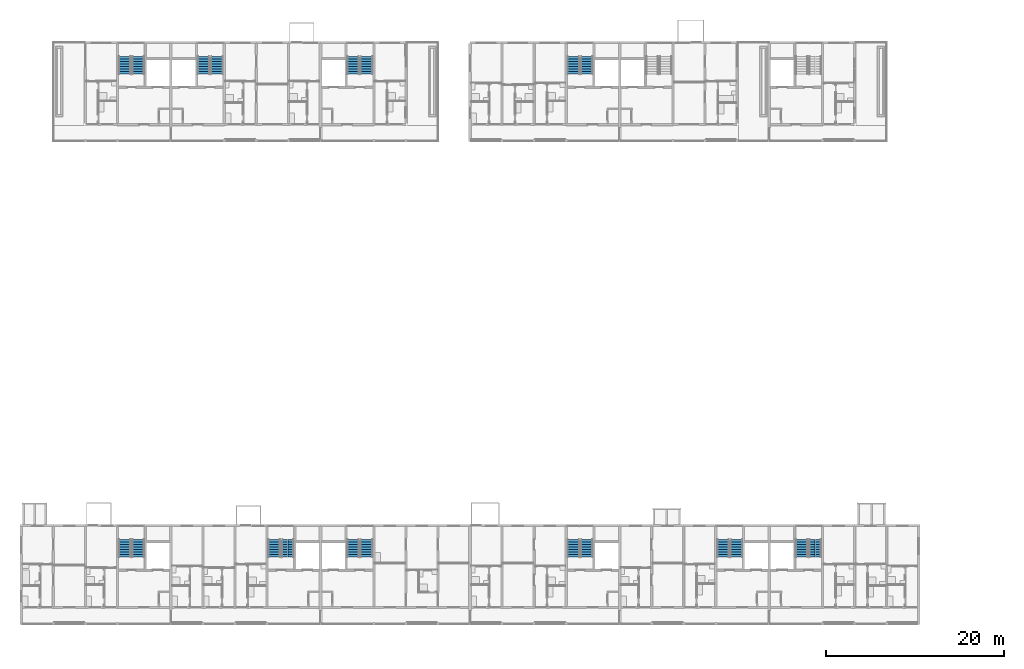
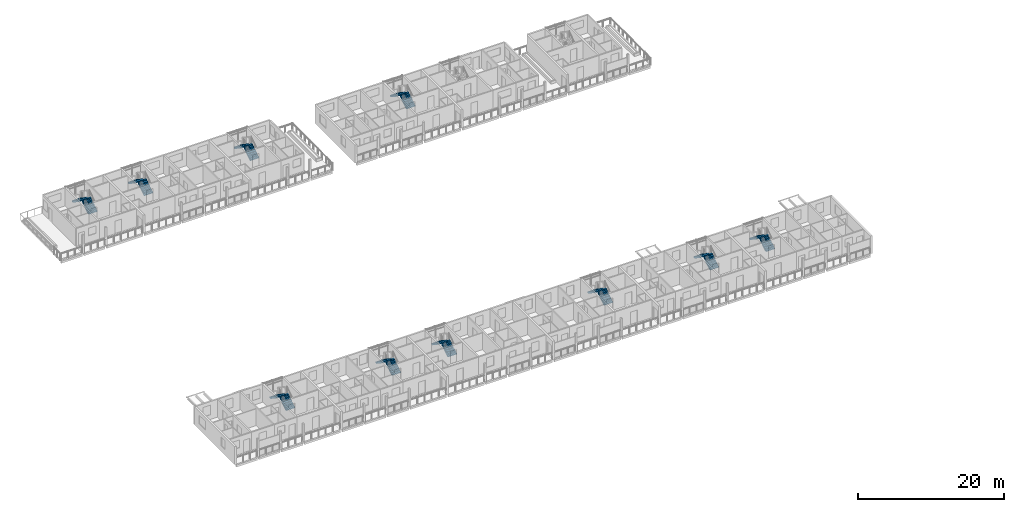
# One storey, part 60 of 94: 20 stair flights, 10 elements without a shape of their own.
"""IFC4 building model written with IfcOpenShell, lengths in metres."""

from ifc_helpers import new_model, si_unit, direction, frame, origin, place, context, subcontext, project, spatial, polyline, outline, extrude, material, type_object, element, aggregate, save


model = new_model("IFC4")

# Units and contexts
model_context = context("Model", 3, precision=1e-05, world=origin(), true_north=direction((0.0, 1.0)))
body_context = subcontext(model_context, "Body", "Model", "MODEL_VIEW")
ifc_project = project(units=[si_unit("LENGTHUNIT", "METRE"), si_unit("AREAUNIT", "SQUARE_METRE"), si_unit("VOLUMEUNIT", "CUBIC_METRE"), si_unit("PLANEANGLEUNIT", "RADIAN"), si_unit("MASSUNIT", "GRAM", prefix="KILO")], contexts=[model_context])

# Site, building, storey
site_placement = place(None, origin())
site = spatial("IfcSite", under=ifc_project, at=site_placement, CompositionType="ELEMENT")
building_placement = place(site_placement, origin())
building = spatial("IfcBuilding", under=site, at=building_placement, Name="Ridgestep Commons", CompositionType="ELEMENT")
storey_placement = place(building_placement, frame((0.0, 0.0, 21.0)))
storey = spatial("IfcBuildingStorey", under=building, at=storey_placement, Name="L07", CompositionType="ELEMENT", Elevation=21.0)

# Stair, stair flights
ifc_material_1 = material(Name="Precast concrete C40/50", Category="concrete")
stair_type = type_object("IfcStairType", Name="Escape stair 1400", PredefinedType="HALF_TURN_STAIR", material=ifc_material_1)
stair_1_placement = place(storey_placement, origin())
stair_1 = element("IfcStair", 1, at=stair_1_placement, inside=storey, type_object=stair_type, Name="L07 Escape stair A1C", PredefinedType="HALF_TURN_STAIR")
ifc_material_2 = material(Name="Precast concrete C40/50", Category="concrete")
stair_flight_type = type_object("IfcStairFlightType", Name="Stair flight 1400", PredefinedType="STRAIGHT", material=ifc_material_2)
stair_flight_1_placement = place(storey_placement, frame((25.125, 19.35009765625, 0.0), z_axis=(0.0, 0.0, 1.0), x_axis=(0.0, 1.0, 0.0)))
stair_flight_1 = element("IfcStairFlight", 2, at=stair_flight_1_placement, type_object=stair_flight_type, Name="A1C flight 1", NumberOfRisers=8, NumberOfTreads=7, PredefinedType="STRAIGHT", RiserHeight=0.1875, TreadLength=0.28, context=body_context, shape_type="SweptSolid", body=[
    extrude(outline(polyline([(0.0, 0.0), (0.0, 0.1875), (0.280029296875, 0.1875), (0.280029296875, 0.375), (0.56005859375, 0.375), (0.56005859375, 0.5625), (0.840087890625, 0.5625), (0.840087890625, 0.75), (1.1201171875, 0.75), (1.1201171875, 0.9375), (1.39990234375, 0.9375), (1.39990234375, 1.125), (1.679931640625, 1.125), (1.679931640625, 1.3125), (1.9599609375, 1.3125), (1.9599609375, 1.5), (1.9599609375, 1.132080078125), (0.26953125, 0.0), (0.0, 0.0)])), frame((0.0, 0.699951171875, 0.0), z_axis=(0.0, -1.0, 0.0), x_axis=(1.0, 0.0, 0.0)), (0.0, 0.0, 1.0), 0.695068359375),
    extrude(outline(polyline([(0.0, 0.0), (0.0, 0.1875), (0.280029296875, 0.1875), (0.280029296875, 0.375), (0.56005859375, 0.375), (0.56005859375, 0.5625), (0.840087890625, 0.5625), (0.840087890625, 0.75), (1.1201171875, 0.75), (1.1201171875, 0.9375), (1.39990234375, 0.9375), (1.39990234375, 1.125), (1.679931640625, 1.125), (1.679931640625, 1.3125), (1.9599609375, 1.3125), (1.9599609375, 1.5), (1.9599609375, 1.132080078125), (0.26953125, 0.0), (0.0, 0.0)])), frame((0.0, -0.0048828125, 0.0), z_axis=(0.0, -1.0, 0.0), x_axis=(1.0, 0.0, 0.0)), (0.0, 0.0, 1.0), 0.695068359375),
])
stair_flight_2_placement = place(storey_placement, frame((23.625, 21.31005859375, 1.5), z_axis=(0.0, 0.0, 1.0), x_axis=(0.0, -1.0, 0.0)))
stair_flight_2 = element("IfcStairFlight", 3, at=stair_flight_2_placement, type_object=stair_flight_type, Name="A1C flight 2", NumberOfRisers=8, NumberOfTreads=7, PredefinedType="STRAIGHT", RiserHeight=0.1875, TreadLength=0.28, context=body_context, shape_type="SweptSolid", body=[
    extrude(outline(polyline([(0.0, 0.0), (0.0, 0.1875), (0.280029296875, 0.1875), (0.280029296875, 0.375), (0.56005859375, 0.375), (0.56005859375, 0.5625), (0.840087890625, 0.5625), (0.840087890625, 0.75), (1.1201171875, 0.75), (1.1201171875, 0.9375), (1.39990234375, 0.9375), (1.39990234375, 1.125), (1.679931640625, 1.125), (1.679931640625, 1.3125), (1.9599609375, 1.3125), (1.9599609375, 1.5), (1.9599609375, 1.132080078125), (0.26953125, 0.0), (0.0, 0.0)])), frame((0.0, 0.699951171875, 0.0), z_axis=(0.0, -1.0, 0.0), x_axis=(1.0, 0.0, 0.0)), (0.0, 0.0, 1.0), 0.695068359375),
    extrude(outline(polyline([(0.0, 0.0), (0.0, 0.1875), (0.280029296875, 0.1875), (0.280029296875, 0.375), (0.56005859375, 0.375), (0.56005859375, 0.5625), (0.840087890625, 0.5625), (0.840087890625, 0.75), (1.1201171875, 0.75), (1.1201171875, 0.9375), (1.39990234375, 0.9375), (1.39990234375, 1.125), (1.679931640625, 1.125), (1.679931640625, 1.3125), (1.9599609375, 1.3125), (1.9599609375, 1.5), (1.9599609375, 1.132080078125), (0.26953125, 0.0), (0.0, 0.0)])), frame((0.0, -0.0048828125, 0.0), z_axis=(0.0, -1.0, 0.0), x_axis=(1.0, 0.0, 0.0)), (0.0, 0.0, 1.0), 0.695068359375),
])
aggregate(stair_1, [stair_flight_1, stair_flight_2])

stair_2_placement = place(storey_placement, origin())
stair_2 = element("IfcStair", 4, at=stair_2_placement, inside=storey, type_object=stair_type, Name="L07 Escape stair A2C", PredefinedType="HALF_TURN_STAIR")
stair_flight_3_placement = place(storey_placement, frame((41.925048828125, 19.35009765625, 0.0), z_axis=(0.0, 0.0, 1.0), x_axis=(0.0, 1.0, 0.0)))
stair_flight_3 = element("IfcStairFlight", 5, at=stair_flight_3_placement, type_object=stair_flight_type, Name="A2C flight 1", NumberOfRisers=8, NumberOfTreads=7, PredefinedType="STRAIGHT", RiserHeight=0.1875, TreadLength=0.28, context=body_context, shape_type="SweptSolid", body=[
    extrude(outline(polyline([(0.0, 0.0), (0.0, 0.1875), (0.280029296875, 0.1875), (0.280029296875, 0.375), (0.56005859375, 0.375), (0.56005859375, 0.5625), (0.840087890625, 0.5625), (0.840087890625, 0.75), (1.1201171875, 0.75), (1.1201171875, 0.9375), (1.39990234375, 0.9375), (1.39990234375, 1.125), (1.679931640625, 1.125), (1.679931640625, 1.3125), (1.9599609375, 1.3125), (1.9599609375, 1.5), (1.9599609375, 1.132080078125), (0.26953125, 0.0), (0.0, 0.0)])), frame((0.0, 0.699951171875, 0.0), z_axis=(0.0, -1.0, 0.0), x_axis=(1.0, 0.0, 0.0)), (0.0, 0.0, 1.0), 0.695068359375),
    extrude(outline(polyline([(0.0, 0.0), (0.0, 0.1875), (0.280029296875, 0.1875), (0.280029296875, 0.375), (0.56005859375, 0.375), (0.56005859375, 0.5625), (0.840087890625, 0.5625), (0.840087890625, 0.75), (1.1201171875, 0.75), (1.1201171875, 0.9375), (1.39990234375, 0.9375), (1.39990234375, 1.125), (1.679931640625, 1.125), (1.679931640625, 1.3125), (1.9599609375, 1.3125), (1.9599609375, 1.5), (1.9599609375, 1.132080078125), (0.26953125, 0.0), (0.0, 0.0)])), frame((0.0, -0.0048828125, 0.0), z_axis=(0.0, -1.0, 0.0), x_axis=(1.0, 0.0, 0.0)), (0.0, 0.0, 1.0), 0.695068359375),
])
stair_flight_4_placement = place(storey_placement, frame((40.425048828125, 21.31005859375, 1.5), z_axis=(0.0, 0.0, 1.0), x_axis=(0.0, -1.0, 0.0)))
stair_flight_4 = element("IfcStairFlight", 6, at=stair_flight_4_placement, type_object=stair_flight_type, Name="A2C flight 2", NumberOfRisers=8, NumberOfTreads=7, PredefinedType="STRAIGHT", RiserHeight=0.1875, TreadLength=0.28, context=body_context, shape_type="SweptSolid", body=[
    extrude(outline(polyline([(0.0, 0.0), (0.0, 0.1875), (0.280029296875, 0.1875), (0.280029296875, 0.375), (0.56005859375, 0.375), (0.56005859375, 0.5625), (0.840087890625, 0.5625), (0.840087890625, 0.75), (1.1201171875, 0.75), (1.1201171875, 0.9375), (1.39990234375, 0.9375), (1.39990234375, 1.125), (1.679931640625, 1.125), (1.679931640625, 1.3125), (1.9599609375, 1.3125), (1.9599609375, 1.5), (1.9599609375, 1.132080078125), (0.26953125, 0.0), (0.0, 0.0)])), frame((0.0, 0.699951171875, 0.0), z_axis=(0.0, -1.0, 0.0), x_axis=(1.0, 0.0, 0.0)), (0.0, 0.0, 1.0), 0.695068359375),
    extrude(outline(polyline([(0.0, 0.0), (0.0, 0.1875), (0.280029296875, 0.1875), (0.280029296875, 0.375), (0.56005859375, 0.375), (0.56005859375, 0.5625), (0.840087890625, 0.5625), (0.840087890625, 0.75), (1.1201171875, 0.75), (1.1201171875, 0.9375), (1.39990234375, 0.9375), (1.39990234375, 1.125), (1.679931640625, 1.125), (1.679931640625, 1.3125), (1.9599609375, 1.3125), (1.9599609375, 1.5), (1.9599609375, 1.132080078125), (0.26953125, 0.0), (0.0, 0.0)])), frame((0.0, -0.0048828125, 0.0), z_axis=(0.0, -1.0, 0.0), x_axis=(1.0, 0.0, 0.0)), (0.0, 0.0, 1.0), 0.695068359375),
])
aggregate(stair_2, [stair_flight_3, stair_flight_4])

stair_3_placement = place(storey_placement, origin())
stair_3 = element("IfcStair", 7, at=stair_3_placement, inside=storey, type_object=stair_type, Name="L07 Escape stair A3C", PredefinedType="HALF_TURN_STAIR")
stair_flight_5_placement = place(storey_placement, frame((50.77490234375, 19.35009765625, 0.0), z_axis=(0.0, 0.0, 1.0), x_axis=(0.0, 1.0, 0.0)))
stair_flight_5 = element("IfcStairFlight", 8, at=stair_flight_5_placement, type_object=stair_flight_type, Name="A3C flight 1", NumberOfRisers=8, NumberOfTreads=7, PredefinedType="STRAIGHT", RiserHeight=0.1875, TreadLength=0.28, context=body_context, shape_type="SweptSolid", body=[
    extrude(outline(polyline([(0.0, 0.0), (0.0, 0.1875), (0.280029296875, 0.1875), (0.280029296875, 0.375), (0.56005859375, 0.375), (0.56005859375, 0.5625), (0.840087890625, 0.5625), (0.840087890625, 0.75), (1.1201171875, 0.75), (1.1201171875, 0.9375), (1.39990234375, 0.9375), (1.39990234375, 1.125), (1.679931640625, 1.125), (1.679931640625, 1.3125), (1.9599609375, 1.3125), (1.9599609375, 1.5), (1.9599609375, 1.132080078125), (0.26953125, 0.0), (0.0, 0.0)])), frame((0.0, 0.699951171875, 0.0), z_axis=(0.0, -1.0, 0.0), x_axis=(1.0, 0.0, 0.0)), (0.0, 0.0, 1.0), 0.695068359375),
    extrude(outline(polyline([(0.0, 0.0), (0.0, 0.1875), (0.280029296875, 0.1875), (0.280029296875, 0.375), (0.56005859375, 0.375), (0.56005859375, 0.5625), (0.840087890625, 0.5625), (0.840087890625, 0.75), (1.1201171875, 0.75), (1.1201171875, 0.9375), (1.39990234375, 0.9375), (1.39990234375, 1.125), (1.679931640625, 1.125), (1.679931640625, 1.3125), (1.9599609375, 1.3125), (1.9599609375, 1.5), (1.9599609375, 1.132080078125), (0.26953125, 0.0), (0.0, 0.0)])), frame((0.0, -0.0048828125, 0.0), z_axis=(0.0, -1.0, 0.0), x_axis=(1.0, 0.0, 0.0)), (0.0, 0.0, 1.0), 0.695068359375),
])
stair_flight_6_placement = place(storey_placement, frame((49.27490234375, 21.31005859375, 1.5), z_axis=(0.0, 0.0, 1.0), x_axis=(0.0, -1.0, 0.0)))
stair_flight_6 = element("IfcStairFlight", 9, at=stair_flight_6_placement, type_object=stair_flight_type, Name="A3C flight 2", NumberOfRisers=8, NumberOfTreads=7, PredefinedType="STRAIGHT", RiserHeight=0.1875, TreadLength=0.28, context=body_context, shape_type="SweptSolid", body=[
    extrude(outline(polyline([(0.0, 0.0), (0.0, 0.1875), (0.280029296875, 0.1875), (0.280029296875, 0.375), (0.56005859375, 0.375), (0.56005859375, 0.5625), (0.840087890625, 0.5625), (0.840087890625, 0.75), (1.1201171875, 0.75), (1.1201171875, 0.9375), (1.39990234375, 0.9375), (1.39990234375, 1.125), (1.679931640625, 1.125), (1.679931640625, 1.3125), (1.9599609375, 1.3125), (1.9599609375, 1.5), (1.9599609375, 1.132080078125), (0.26953125, 0.0), (0.0, 0.0)])), frame((0.0, 0.699951171875, 0.0), z_axis=(0.0, -1.0, 0.0), x_axis=(1.0, 0.0, 0.0)), (0.0, 0.0, 1.0), 0.695068359375),
    extrude(outline(polyline([(0.0, 0.0), (0.0, 0.1875), (0.280029296875, 0.1875), (0.280029296875, 0.375), (0.56005859375, 0.375), (0.56005859375, 0.5625), (0.840087890625, 0.5625), (0.840087890625, 0.75), (1.1201171875, 0.75), (1.1201171875, 0.9375), (1.39990234375, 0.9375), (1.39990234375, 1.125), (1.679931640625, 1.125), (1.679931640625, 1.3125), (1.9599609375, 1.3125), (1.9599609375, 1.5), (1.9599609375, 1.132080078125), (0.26953125, 0.0), (0.0, 0.0)])), frame((0.0, -0.0048828125, 0.0), z_axis=(0.0, -1.0, 0.0), x_axis=(1.0, 0.0, 0.0)), (0.0, 0.0, 1.0), 0.695068359375),
])
aggregate(stair_3, [stair_flight_5, stair_flight_6])

stair_4_placement = place(storey_placement, origin())
stair_4 = element("IfcStair", 10, at=stair_4_placement, inside=storey, type_object=stair_type, Name="L07 Escape stair A4C", PredefinedType="HALF_TURN_STAIR")
stair_flight_7_placement = place(storey_placement, frame((75.52490234375, 19.35009765625, 0.0), z_axis=(0.0, 0.0, 1.0), x_axis=(0.0, 1.0, 0.0)))
stair_flight_7 = element("IfcStairFlight", 11, at=stair_flight_7_placement, type_object=stair_flight_type, Name="A4C flight 1", NumberOfRisers=8, NumberOfTreads=7, PredefinedType="STRAIGHT", RiserHeight=0.1875, TreadLength=0.28, context=body_context, shape_type="SweptSolid", body=[
    extrude(outline(polyline([(0.0, 0.0), (0.0, 0.1875), (0.280029296875, 0.1875), (0.280029296875, 0.375), (0.56005859375, 0.375), (0.56005859375, 0.5625), (0.840087890625, 0.5625), (0.840087890625, 0.75), (1.1201171875, 0.75), (1.1201171875, 0.9375), (1.39990234375, 0.9375), (1.39990234375, 1.125), (1.679931640625, 1.125), (1.679931640625, 1.3125), (1.9599609375, 1.3125), (1.9599609375, 1.5), (1.9599609375, 1.132080078125), (0.26953125, 0.0), (0.0, 0.0)])), frame((0.0, 0.699951171875, 0.0), z_axis=(0.0, -1.0, 0.0), x_axis=(1.0, 0.0, 0.0)), (0.0, 0.0, 1.0), 0.695068359375),
    extrude(outline(polyline([(0.0, 0.0), (0.0, 0.1875), (0.280029296875, 0.1875), (0.280029296875, 0.375), (0.56005859375, 0.375), (0.56005859375, 0.5625), (0.840087890625, 0.5625), (0.840087890625, 0.75), (1.1201171875, 0.75), (1.1201171875, 0.9375), (1.39990234375, 0.9375), (1.39990234375, 1.125), (1.679931640625, 1.125), (1.679931640625, 1.3125), (1.9599609375, 1.3125), (1.9599609375, 1.5), (1.9599609375, 1.132080078125), (0.26953125, 0.0), (0.0, 0.0)])), frame((0.0, -0.0048828125, 0.0), z_axis=(0.0, -1.0, 0.0), x_axis=(1.0, 0.0, 0.0)), (0.0, 0.0, 1.0), 0.695068359375),
])
stair_flight_8_placement = place(storey_placement, frame((74.02490234375, 21.31005859375, 1.5), z_axis=(0.0, 0.0, 1.0), x_axis=(0.0, -1.0, 0.0)))
stair_flight_8 = element("IfcStairFlight", 12, at=stair_flight_8_placement, type_object=stair_flight_type, Name="A4C flight 2", NumberOfRisers=8, NumberOfTreads=7, PredefinedType="STRAIGHT", RiserHeight=0.1875, TreadLength=0.28, context=body_context, shape_type="SweptSolid", body=[
    extrude(outline(polyline([(0.0, 0.0), (0.0, 0.1875), (0.280029296875, 0.1875), (0.280029296875, 0.375), (0.56005859375, 0.375), (0.56005859375, 0.5625), (0.840087890625, 0.5625), (0.840087890625, 0.75), (1.1201171875, 0.75), (1.1201171875, 0.9375), (1.39990234375, 0.9375), (1.39990234375, 1.125), (1.679931640625, 1.125), (1.679931640625, 1.3125), (1.9599609375, 1.3125), (1.9599609375, 1.5), (1.9599609375, 1.132080078125), (0.26953125, 0.0), (0.0, 0.0)])), frame((0.0, 0.699951171875, 0.0), z_axis=(0.0, -1.0, 0.0), x_axis=(1.0, 0.0, 0.0)), (0.0, 0.0, 1.0), 0.695068359375),
    extrude(outline(polyline([(0.0, 0.0), (0.0, 0.1875), (0.280029296875, 0.1875), (0.280029296875, 0.375), (0.56005859375, 0.375), (0.56005859375, 0.5625), (0.840087890625, 0.5625), (0.840087890625, 0.75), (1.1201171875, 0.75), (1.1201171875, 0.9375), (1.39990234375, 0.9375), (1.39990234375, 1.125), (1.679931640625, 1.125), (1.679931640625, 1.3125), (1.9599609375, 1.3125), (1.9599609375, 1.5), (1.9599609375, 1.132080078125), (0.26953125, 0.0), (0.0, 0.0)])), frame((0.0, -0.0048828125, 0.0), z_axis=(0.0, -1.0, 0.0), x_axis=(1.0, 0.0, 0.0)), (0.0, 0.0, 1.0), 0.695068359375),
])
aggregate(stair_4, [stair_flight_7, stair_flight_8])

stair_5_placement = place(storey_placement, origin())
stair_5 = element("IfcStair", 13, at=stair_5_placement, inside=storey, type_object=stair_type, Name="L07 Escape stair A5C", PredefinedType="HALF_TURN_STAIR")
stair_flight_9_placement = place(storey_placement, frame((92.324951171875, 19.35009765625, 0.0), z_axis=(0.0, 0.0, 1.0), x_axis=(0.0, 1.0, 0.0)))
stair_flight_9 = element("IfcStairFlight", 14, at=stair_flight_9_placement, type_object=stair_flight_type, Name="A5C flight 1", NumberOfRisers=8, NumberOfTreads=7, PredefinedType="STRAIGHT", RiserHeight=0.1875, TreadLength=0.28, context=body_context, shape_type="SweptSolid", body=[
    extrude(outline(polyline([(0.0, 0.0), (0.0, 0.1875), (0.280029296875, 0.1875), (0.280029296875, 0.375), (0.56005859375, 0.375), (0.56005859375, 0.5625), (0.840087890625, 0.5625), (0.840087890625, 0.75), (1.1201171875, 0.75), (1.1201171875, 0.9375), (1.39990234375, 0.9375), (1.39990234375, 1.125), (1.679931640625, 1.125), (1.679931640625, 1.3125), (1.9599609375, 1.3125), (1.9599609375, 1.5), (1.9599609375, 1.132080078125), (0.26953125, 0.0), (0.0, 0.0)])), frame((0.0, 0.699951171875, 0.0), z_axis=(0.0, -1.0, 0.0), x_axis=(1.0, 0.0, 0.0)), (0.0, 0.0, 1.0), 0.695068359375),
    extrude(outline(polyline([(0.0, 0.0), (0.0, 0.1875), (0.280029296875, 0.1875), (0.280029296875, 0.375), (0.56005859375, 0.375), (0.56005859375, 0.5625), (0.840087890625, 0.5625), (0.840087890625, 0.75), (1.1201171875, 0.75), (1.1201171875, 0.9375), (1.39990234375, 0.9375), (1.39990234375, 1.125), (1.679931640625, 1.125), (1.679931640625, 1.3125), (1.9599609375, 1.3125), (1.9599609375, 1.5), (1.9599609375, 1.132080078125), (0.26953125, 0.0), (0.0, 0.0)])), frame((0.0, -0.0048828125, 0.0), z_axis=(0.0, -1.0, 0.0), x_axis=(1.0, 0.0, 0.0)), (0.0, 0.0, 1.0), 0.695068359375),
])
stair_flight_10_placement = place(storey_placement, frame((90.824951171875, 21.31005859375, 1.5), z_axis=(0.0, 0.0, 1.0), x_axis=(0.0, -1.0, 0.0)))
stair_flight_10 = element("IfcStairFlight", 15, at=stair_flight_10_placement, type_object=stair_flight_type, Name="A5C flight 2", NumberOfRisers=8, NumberOfTreads=7, PredefinedType="STRAIGHT", RiserHeight=0.1875, TreadLength=0.28, context=body_context, shape_type="SweptSolid", body=[
    extrude(outline(polyline([(0.0, 0.0), (0.0, 0.1875), (0.280029296875, 0.1875), (0.280029296875, 0.375), (0.56005859375, 0.375), (0.56005859375, 0.5625), (0.840087890625, 0.5625), (0.840087890625, 0.75), (1.1201171875, 0.75), (1.1201171875, 0.9375), (1.39990234375, 0.9375), (1.39990234375, 1.125), (1.679931640625, 1.125), (1.679931640625, 1.3125), (1.9599609375, 1.3125), (1.9599609375, 1.5), (1.9599609375, 1.132080078125), (0.26953125, 0.0), (0.0, 0.0)])), frame((0.0, 0.699951171875, 0.0), z_axis=(0.0, -1.0, 0.0), x_axis=(1.0, 0.0, 0.0)), (0.0, 0.0, 1.0), 0.695068359375),
    extrude(outline(polyline([(0.0, 0.0), (0.0, 0.1875), (0.280029296875, 0.1875), (0.280029296875, 0.375), (0.56005859375, 0.375), (0.56005859375, 0.5625), (0.840087890625, 0.5625), (0.840087890625, 0.75), (1.1201171875, 0.75), (1.1201171875, 0.9375), (1.39990234375, 0.9375), (1.39990234375, 1.125), (1.679931640625, 1.125), (1.679931640625, 1.3125), (1.9599609375, 1.3125), (1.9599609375, 1.5), (1.9599609375, 1.132080078125), (0.26953125, 0.0), (0.0, 0.0)])), frame((0.0, -0.0048828125, 0.0), z_axis=(0.0, -1.0, 0.0), x_axis=(1.0, 0.0, 0.0)), (0.0, 0.0, 1.0), 0.695068359375),
])
aggregate(stair_5, [stair_flight_9, stair_flight_10])

stair_6_placement = place(storey_placement, origin())
stair_6 = element("IfcStair", 16, at=stair_6_placement, inside=storey, type_object=stair_type, Name="L07 Escape stair A6C", PredefinedType="HALF_TURN_STAIR")
stair_flight_11_placement = place(storey_placement, frame((101.175048828125, 19.35009765625, 0.0), z_axis=(0.0, 0.0, 1.0), x_axis=(0.0, 1.0, 0.0)))
stair_flight_11 = element("IfcStairFlight", 17, at=stair_flight_11_placement, type_object=stair_flight_type, Name="A6C flight 1", NumberOfRisers=8, NumberOfTreads=7, PredefinedType="STRAIGHT", RiserHeight=0.1875, TreadLength=0.28, context=body_context, shape_type="SweptSolid", body=[
    extrude(outline(polyline([(0.0, 0.0), (0.0, 0.1875), (0.280029296875, 0.1875), (0.280029296875, 0.375), (0.56005859375, 0.375), (0.56005859375, 0.5625), (0.840087890625, 0.5625), (0.840087890625, 0.75), (1.1201171875, 0.75), (1.1201171875, 0.9375), (1.39990234375, 0.9375), (1.39990234375, 1.125), (1.679931640625, 1.125), (1.679931640625, 1.3125), (1.9599609375, 1.3125), (1.9599609375, 1.5), (1.9599609375, 1.132080078125), (0.26953125, 0.0), (0.0, 0.0)])), frame((0.0, 0.699951171875, 0.0), z_axis=(0.0, -1.0, 0.0), x_axis=(1.0, 0.0, 0.0)), (0.0, 0.0, 1.0), 0.695068359375),
    extrude(outline(polyline([(0.0, 0.0), (0.0, 0.1875), (0.280029296875, 0.1875), (0.280029296875, 0.375), (0.56005859375, 0.375), (0.56005859375, 0.5625), (0.840087890625, 0.5625), (0.840087890625, 0.75), (1.1201171875, 0.75), (1.1201171875, 0.9375), (1.39990234375, 0.9375), (1.39990234375, 1.125), (1.679931640625, 1.125), (1.679931640625, 1.3125), (1.9599609375, 1.3125), (1.9599609375, 1.5), (1.9599609375, 1.132080078125), (0.26953125, 0.0), (0.0, 0.0)])), frame((0.0, -0.0048828125, 0.0), z_axis=(0.0, -1.0, 0.0), x_axis=(1.0, 0.0, 0.0)), (0.0, 0.0, 1.0), 0.695068359375),
])
stair_flight_12_placement = place(storey_placement, frame((99.675048828125, 21.31005859375, 1.5), z_axis=(0.0, 0.0, 1.0), x_axis=(0.0, -1.0, 0.0)))
stair_flight_12 = element("IfcStairFlight", 18, at=stair_flight_12_placement, type_object=stair_flight_type, Name="A6C flight 2", NumberOfRisers=8, NumberOfTreads=7, PredefinedType="STRAIGHT", RiserHeight=0.1875, TreadLength=0.28, context=body_context, shape_type="SweptSolid", body=[
    extrude(outline(polyline([(0.0, 0.0), (0.0, 0.1875), (0.280029296875, 0.1875), (0.280029296875, 0.375), (0.56005859375, 0.375), (0.56005859375, 0.5625), (0.840087890625, 0.5625), (0.840087890625, 0.75), (1.1201171875, 0.75), (1.1201171875, 0.9375), (1.39990234375, 0.9375), (1.39990234375, 1.125), (1.679931640625, 1.125), (1.679931640625, 1.3125), (1.9599609375, 1.3125), (1.9599609375, 1.5), (1.9599609375, 1.132080078125), (0.26953125, 0.0), (0.0, 0.0)])), frame((0.0, 0.699951171875, 0.0), z_axis=(0.0, -1.0, 0.0), x_axis=(1.0, 0.0, 0.0)), (0.0, 0.0, 1.0), 0.695068359375),
    extrude(outline(polyline([(0.0, 0.0), (0.0, 0.1875), (0.280029296875, 0.1875), (0.280029296875, 0.375), (0.56005859375, 0.375), (0.56005859375, 0.5625), (0.840087890625, 0.5625), (0.840087890625, 0.75), (1.1201171875, 0.75), (1.1201171875, 0.9375), (1.39990234375, 0.9375), (1.39990234375, 1.125), (1.679931640625, 1.125), (1.679931640625, 1.3125), (1.9599609375, 1.3125), (1.9599609375, 1.5), (1.9599609375, 1.132080078125), (0.26953125, 0.0), (0.0, 0.0)])), frame((0.0, -0.0048828125, 0.0), z_axis=(0.0, -1.0, 0.0), x_axis=(1.0, 0.0, 0.0)), (0.0, 0.0, 1.0), 0.695068359375),
])
aggregate(stair_6, [stair_flight_11, stair_flight_12])

stair_7_placement = place(storey_placement, origin())
stair_7 = element("IfcStair", 19, at=stair_7_placement, inside=storey, type_object=stair_type, Name="L07 Escape stair B1C", PredefinedType="HALF_TURN_STAIR")
stair_flight_13_placement = place(storey_placement, frame((25.125, 73.60009765625, 0.0), z_axis=(0.0, 0.0, 1.0), x_axis=(0.0, 1.0, 0.0)))
stair_flight_13 = element("IfcStairFlight", 20, at=stair_flight_13_placement, type_object=stair_flight_type, Name="B1C flight 1", NumberOfRisers=8, NumberOfTreads=7, PredefinedType="STRAIGHT", RiserHeight=0.1875, TreadLength=0.28, context=body_context, shape_type="SweptSolid", body=[
    extrude(outline(polyline([(0.0, 0.0), (0.0, 0.1875), (0.280029296875, 0.1875), (0.280029296875, 0.375), (0.56005859375, 0.375), (0.56005859375, 0.5625), (0.840087890625, 0.5625), (0.840087890625, 0.75), (1.1201171875, 0.75), (1.1201171875, 0.9375), (1.39990234375, 0.9375), (1.39990234375, 1.125), (1.679931640625, 1.125), (1.679931640625, 1.3125), (1.9599609375, 1.3125), (1.9599609375, 1.5), (1.9599609375, 1.132080078125), (0.26953125, 0.0), (0.0, 0.0)])), frame((0.0, 0.699951171875, 0.0), z_axis=(0.0, -1.0, 0.0), x_axis=(1.0, 0.0, 0.0)), (0.0, 0.0, 1.0), 0.695068359375),
    extrude(outline(polyline([(0.0, 0.0), (0.0, 0.1875), (0.280029296875, 0.1875), (0.280029296875, 0.375), (0.56005859375, 0.375), (0.56005859375, 0.5625), (0.840087890625, 0.5625), (0.840087890625, 0.75), (1.1201171875, 0.75), (1.1201171875, 0.9375), (1.39990234375, 0.9375), (1.39990234375, 1.125), (1.679931640625, 1.125), (1.679931640625, 1.3125), (1.9599609375, 1.3125), (1.9599609375, 1.5), (1.9599609375, 1.132080078125), (0.26953125, 0.0), (0.0, 0.0)])), frame((0.0, -0.0048828125, 0.0), z_axis=(0.0, -1.0, 0.0), x_axis=(1.0, 0.0, 0.0)), (0.0, 0.0, 1.0), 0.695068359375),
])
stair_flight_14_placement = place(storey_placement, frame((23.625, 75.56005859375, 1.5), z_axis=(0.0, 0.0, 1.0), x_axis=(0.0, -1.0, 0.0)))
stair_flight_14 = element("IfcStairFlight", 21, at=stair_flight_14_placement, type_object=stair_flight_type, Name="B1C flight 2", NumberOfRisers=8, NumberOfTreads=7, PredefinedType="STRAIGHT", RiserHeight=0.1875, TreadLength=0.28, context=body_context, shape_type="SweptSolid", body=[
    extrude(outline(polyline([(0.0, 0.0), (0.0, 0.1875), (0.280029296875, 0.1875), (0.280029296875, 0.375), (0.56005859375, 0.375), (0.56005859375, 0.5625), (0.840087890625, 0.5625), (0.840087890625, 0.75), (1.1201171875, 0.75), (1.1201171875, 0.9375), (1.39990234375, 0.9375), (1.39990234375, 1.125), (1.679931640625, 1.125), (1.679931640625, 1.3125), (1.9599609375, 1.3125), (1.9599609375, 1.5), (1.9599609375, 1.132080078125), (0.26953125, 0.0), (0.0, 0.0)])), frame((0.0, 0.699951171875, 0.0), z_axis=(0.0, -1.0, 0.0), x_axis=(1.0, 0.0, 0.0)), (0.0, 0.0, 1.0), 0.695068359375),
    extrude(outline(polyline([(0.0, 0.0), (0.0, 0.1875), (0.280029296875, 0.1875), (0.280029296875, 0.375), (0.56005859375, 0.375), (0.56005859375, 0.5625), (0.840087890625, 0.5625), (0.840087890625, 0.75), (1.1201171875, 0.75), (1.1201171875, 0.9375), (1.39990234375, 0.9375), (1.39990234375, 1.125), (1.679931640625, 1.125), (1.679931640625, 1.3125), (1.9599609375, 1.3125), (1.9599609375, 1.5), (1.9599609375, 1.132080078125), (0.26953125, 0.0), (0.0, 0.0)])), frame((0.0, -0.0048828125, 0.0), z_axis=(0.0, -1.0, 0.0), x_axis=(1.0, 0.0, 0.0)), (0.0, 0.0, 1.0), 0.695068359375),
])
aggregate(stair_7, [stair_flight_13, stair_flight_14])

stair_8_placement = place(storey_placement, origin())
stair_8 = element("IfcStair", 22, at=stair_8_placement, inside=storey, type_object=stair_type, Name="L07 Escape stair B2C", PredefinedType="HALF_TURN_STAIR")
stair_flight_15_placement = place(storey_placement, frame((33.97509765625, 73.60009765625, 0.0), z_axis=(0.0, 0.0, 1.0), x_axis=(0.0, 1.0, 0.0)))
stair_flight_15 = element("IfcStairFlight", 23, at=stair_flight_15_placement, type_object=stair_flight_type, Name="B2C flight 1", NumberOfRisers=8, NumberOfTreads=7, PredefinedType="STRAIGHT", RiserHeight=0.1875, TreadLength=0.28, context=body_context, shape_type="SweptSolid", body=[
    extrude(outline(polyline([(0.0, 0.0), (0.0, 0.1875), (0.280029296875, 0.1875), (0.280029296875, 0.375), (0.56005859375, 0.375), (0.56005859375, 0.5625), (0.840087890625, 0.5625), (0.840087890625, 0.75), (1.1201171875, 0.75), (1.1201171875, 0.9375), (1.39990234375, 0.9375), (1.39990234375, 1.125), (1.679931640625, 1.125), (1.679931640625, 1.3125), (1.9599609375, 1.3125), (1.9599609375, 1.5), (1.9599609375, 1.132080078125), (0.26953125, 0.0), (0.0, 0.0)])), frame((0.0, 0.699951171875, 0.0), z_axis=(0.0, -1.0, 0.0), x_axis=(1.0, 0.0, 0.0)), (0.0, 0.0, 1.0), 0.695068359375),
    extrude(outline(polyline([(0.0, 0.0), (0.0, 0.1875), (0.280029296875, 0.1875), (0.280029296875, 0.375), (0.56005859375, 0.375), (0.56005859375, 0.5625), (0.840087890625, 0.5625), (0.840087890625, 0.75), (1.1201171875, 0.75), (1.1201171875, 0.9375), (1.39990234375, 0.9375), (1.39990234375, 1.125), (1.679931640625, 1.125), (1.679931640625, 1.3125), (1.9599609375, 1.3125), (1.9599609375, 1.5), (1.9599609375, 1.132080078125), (0.26953125, 0.0), (0.0, 0.0)])), frame((0.0, -0.0048828125, 0.0), z_axis=(0.0, -1.0, 0.0), x_axis=(1.0, 0.0, 0.0)), (0.0, 0.0, 1.0), 0.695068359375),
])
stair_flight_16_placement = place(storey_placement, frame((32.47509765625, 75.56005859375, 1.5), z_axis=(0.0, 0.0, 1.0), x_axis=(0.0, -1.0, 0.0)))
stair_flight_16 = element("IfcStairFlight", 24, at=stair_flight_16_placement, type_object=stair_flight_type, Name="B2C flight 2", NumberOfRisers=8, NumberOfTreads=7, PredefinedType="STRAIGHT", RiserHeight=0.1875, TreadLength=0.28, context=body_context, shape_type="SweptSolid", body=[
    extrude(outline(polyline([(0.0, 0.0), (0.0, 0.1875), (0.280029296875, 0.1875), (0.280029296875, 0.375), (0.56005859375, 0.375), (0.56005859375, 0.5625), (0.840087890625, 0.5625), (0.840087890625, 0.75), (1.1201171875, 0.75), (1.1201171875, 0.9375), (1.39990234375, 0.9375), (1.39990234375, 1.125), (1.679931640625, 1.125), (1.679931640625, 1.3125), (1.9599609375, 1.3125), (1.9599609375, 1.5), (1.9599609375, 1.132080078125), (0.26953125, 0.0), (0.0, 0.0)])), frame((0.0, 0.699951171875, 0.0), z_axis=(0.0, -1.0, 0.0), x_axis=(1.0, 0.0, 0.0)), (0.0, 0.0, 1.0), 0.695068359375),
    extrude(outline(polyline([(0.0, 0.0), (0.0, 0.1875), (0.280029296875, 0.1875), (0.280029296875, 0.375), (0.56005859375, 0.375), (0.56005859375, 0.5625), (0.840087890625, 0.5625), (0.840087890625, 0.75), (1.1201171875, 0.75), (1.1201171875, 0.9375), (1.39990234375, 0.9375), (1.39990234375, 1.125), (1.679931640625, 1.125), (1.679931640625, 1.3125), (1.9599609375, 1.3125), (1.9599609375, 1.5), (1.9599609375, 1.132080078125), (0.26953125, 0.0), (0.0, 0.0)])), frame((0.0, -0.0048828125, 0.0), z_axis=(0.0, -1.0, 0.0), x_axis=(1.0, 0.0, 0.0)), (0.0, 0.0, 1.0), 0.695068359375),
])
aggregate(stair_8, [stair_flight_15, stair_flight_16])

stair_9_placement = place(storey_placement, origin())
stair_9 = element("IfcStair", 25, at=stair_9_placement, inside=storey, type_object=stair_type, Name="L07 Escape stair B3C", PredefinedType="HALF_TURN_STAIR")
stair_flight_17_placement = place(storey_placement, frame((50.77490234375, 73.60009765625, 0.0), z_axis=(0.0, 0.0, 1.0), x_axis=(0.0, 1.0, 0.0)))
stair_flight_17 = element("IfcStairFlight", 26, at=stair_flight_17_placement, type_object=stair_flight_type, Name="B3C flight 1", NumberOfRisers=8, NumberOfTreads=7, PredefinedType="STRAIGHT", RiserHeight=0.1875, TreadLength=0.28, context=body_context, shape_type="SweptSolid", body=[
    extrude(outline(polyline([(0.0, 0.0), (0.0, 0.1875), (0.280029296875, 0.1875), (0.280029296875, 0.375), (0.56005859375, 0.375), (0.56005859375, 0.5625), (0.840087890625, 0.5625), (0.840087890625, 0.75), (1.1201171875, 0.75), (1.1201171875, 0.9375), (1.39990234375, 0.9375), (1.39990234375, 1.125), (1.679931640625, 1.125), (1.679931640625, 1.3125), (1.9599609375, 1.3125), (1.9599609375, 1.5), (1.9599609375, 1.132080078125), (0.26953125, 0.0), (0.0, 0.0)])), frame((0.0, 0.699951171875, 0.0), z_axis=(0.0, -1.0, 0.0), x_axis=(1.0, 0.0, 0.0)), (0.0, 0.0, 1.0), 0.695068359375),
    extrude(outline(polyline([(0.0, 0.0), (0.0, 0.1875), (0.280029296875, 0.1875), (0.280029296875, 0.375), (0.56005859375, 0.375), (0.56005859375, 0.5625), (0.840087890625, 0.5625), (0.840087890625, 0.75), (1.1201171875, 0.75), (1.1201171875, 0.9375), (1.39990234375, 0.9375), (1.39990234375, 1.125), (1.679931640625, 1.125), (1.679931640625, 1.3125), (1.9599609375, 1.3125), (1.9599609375, 1.5), (1.9599609375, 1.132080078125), (0.26953125, 0.0), (0.0, 0.0)])), frame((0.0, -0.0048828125, 0.0), z_axis=(0.0, -1.0, 0.0), x_axis=(1.0, 0.0, 0.0)), (0.0, 0.0, 1.0), 0.695068359375),
])
stair_flight_18_placement = place(storey_placement, frame((49.27490234375, 75.56005859375, 1.5), z_axis=(0.0, 0.0, 1.0), x_axis=(0.0, -1.0, 0.0)))
stair_flight_18 = element("IfcStairFlight", 27, at=stair_flight_18_placement, type_object=stair_flight_type, Name="B3C flight 2", NumberOfRisers=8, NumberOfTreads=7, PredefinedType="STRAIGHT", RiserHeight=0.1875, TreadLength=0.28, context=body_context, shape_type="SweptSolid", body=[
    extrude(outline(polyline([(0.0, 0.0), (0.0, 0.1875), (0.280029296875, 0.1875), (0.280029296875, 0.375), (0.56005859375, 0.375), (0.56005859375, 0.5625), (0.840087890625, 0.5625), (0.840087890625, 0.75), (1.1201171875, 0.75), (1.1201171875, 0.9375), (1.39990234375, 0.9375), (1.39990234375, 1.125), (1.679931640625, 1.125), (1.679931640625, 1.3125), (1.9599609375, 1.3125), (1.9599609375, 1.5), (1.9599609375, 1.132080078125), (0.26953125, 0.0), (0.0, 0.0)])), frame((0.0, 0.699951171875, 0.0), z_axis=(0.0, -1.0, 0.0), x_axis=(1.0, 0.0, 0.0)), (0.0, 0.0, 1.0), 0.695068359375),
    extrude(outline(polyline([(0.0, 0.0), (0.0, 0.1875), (0.280029296875, 0.1875), (0.280029296875, 0.375), (0.56005859375, 0.375), (0.56005859375, 0.5625), (0.840087890625, 0.5625), (0.840087890625, 0.75), (1.1201171875, 0.75), (1.1201171875, 0.9375), (1.39990234375, 0.9375), (1.39990234375, 1.125), (1.679931640625, 1.125), (1.679931640625, 1.3125), (1.9599609375, 1.3125), (1.9599609375, 1.5), (1.9599609375, 1.132080078125), (0.26953125, 0.0), (0.0, 0.0)])), frame((0.0, -0.0048828125, 0.0), z_axis=(0.0, -1.0, 0.0), x_axis=(1.0, 0.0, 0.0)), (0.0, 0.0, 1.0), 0.695068359375),
])
aggregate(stair_9, [stair_flight_17, stair_flight_18])

stair_10_placement = place(storey_placement, origin())
stair_10 = element("IfcStair", 28, at=stair_10_placement, inside=storey, type_object=stair_type, Name="L07 Escape stair B4C", PredefinedType="HALF_TURN_STAIR")
stair_flight_19_placement = place(storey_placement, frame((75.52490234375, 73.60009765625, 0.0), z_axis=(0.0, 0.0, 1.0), x_axis=(0.0, 1.0, 0.0)))
stair_flight_19 = element("IfcStairFlight", 29, at=stair_flight_19_placement, type_object=stair_flight_type, Name="B4C flight 1", NumberOfRisers=8, NumberOfTreads=7, PredefinedType="STRAIGHT", RiserHeight=0.1875, TreadLength=0.28, context=body_context, shape_type="SweptSolid", body=[
    extrude(outline(polyline([(0.0, 0.0), (0.0, 0.1875), (0.280029296875, 0.1875), (0.280029296875, 0.375), (0.56005859375, 0.375), (0.56005859375, 0.5625), (0.840087890625, 0.5625), (0.840087890625, 0.75), (1.1201171875, 0.75), (1.1201171875, 0.9375), (1.39990234375, 0.9375), (1.39990234375, 1.125), (1.679931640625, 1.125), (1.679931640625, 1.3125), (1.9599609375, 1.3125), (1.9599609375, 1.5), (1.9599609375, 1.132080078125), (0.26953125, 0.0), (0.0, 0.0)])), frame((0.0, 0.699951171875, 0.0), z_axis=(0.0, -1.0, 0.0), x_axis=(1.0, 0.0, 0.0)), (0.0, 0.0, 1.0), 0.695068359375),
    extrude(outline(polyline([(0.0, 0.0), (0.0, 0.1875), (0.280029296875, 0.1875), (0.280029296875, 0.375), (0.56005859375, 0.375), (0.56005859375, 0.5625), (0.840087890625, 0.5625), (0.840087890625, 0.75), (1.1201171875, 0.75), (1.1201171875, 0.9375), (1.39990234375, 0.9375), (1.39990234375, 1.125), (1.679931640625, 1.125), (1.679931640625, 1.3125), (1.9599609375, 1.3125), (1.9599609375, 1.5), (1.9599609375, 1.132080078125), (0.26953125, 0.0), (0.0, 0.0)])), frame((0.0, -0.0048828125, 0.0), z_axis=(0.0, -1.0, 0.0), x_axis=(1.0, 0.0, 0.0)), (0.0, 0.0, 1.0), 0.695068359375),
])
stair_flight_20_placement = place(storey_placement, frame((74.02490234375, 75.56005859375, 1.5), z_axis=(0.0, 0.0, 1.0), x_axis=(0.0, -1.0, 0.0)))
stair_flight_20 = element("IfcStairFlight", 30, at=stair_flight_20_placement, type_object=stair_flight_type, Name="B4C flight 2", NumberOfRisers=8, NumberOfTreads=7, PredefinedType="STRAIGHT", RiserHeight=0.1875, TreadLength=0.28, context=body_context, shape_type="SweptSolid", body=[
    extrude(outline(polyline([(0.0, 0.0), (0.0, 0.1875), (0.280029296875, 0.1875), (0.280029296875, 0.375), (0.56005859375, 0.375), (0.56005859375, 0.5625), (0.840087890625, 0.5625), (0.840087890625, 0.75), (1.1201171875, 0.75), (1.1201171875, 0.9375), (1.39990234375, 0.9375), (1.39990234375, 1.125), (1.679931640625, 1.125), (1.679931640625, 1.3125), (1.9599609375, 1.3125), (1.9599609375, 1.5), (1.9599609375, 1.132080078125), (0.26953125, 0.0), (0.0, 0.0)])), frame((0.0, 0.699951171875, 0.0), z_axis=(0.0, -1.0, 0.0), x_axis=(1.0, 0.0, 0.0)), (0.0, 0.0, 1.0), 0.695068359375),
    extrude(outline(polyline([(0.0, 0.0), (0.0, 0.1875), (0.280029296875, 0.1875), (0.280029296875, 0.375), (0.56005859375, 0.375), (0.56005859375, 0.5625), (0.840087890625, 0.5625), (0.840087890625, 0.75), (1.1201171875, 0.75), (1.1201171875, 0.9375), (1.39990234375, 0.9375), (1.39990234375, 1.125), (1.679931640625, 1.125), (1.679931640625, 1.3125), (1.9599609375, 1.3125), (1.9599609375, 1.5), (1.9599609375, 1.132080078125), (0.26953125, 0.0), (0.0, 0.0)])), frame((0.0, -0.0048828125, 0.0), z_axis=(0.0, -1.0, 0.0), x_axis=(1.0, 0.0, 0.0)), (0.0, 0.0, 1.0), 0.695068359375),
])
aggregate(stair_10, [stair_flight_19, stair_flight_20])

save(model, "model.ifc")
